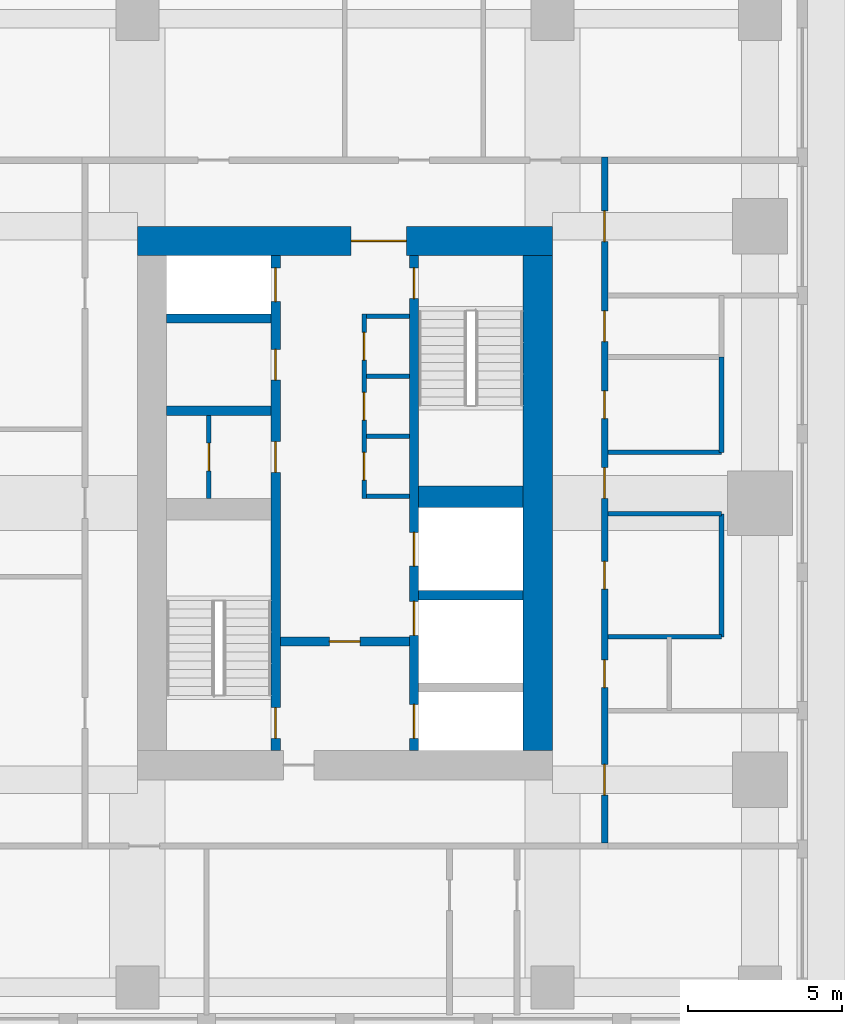
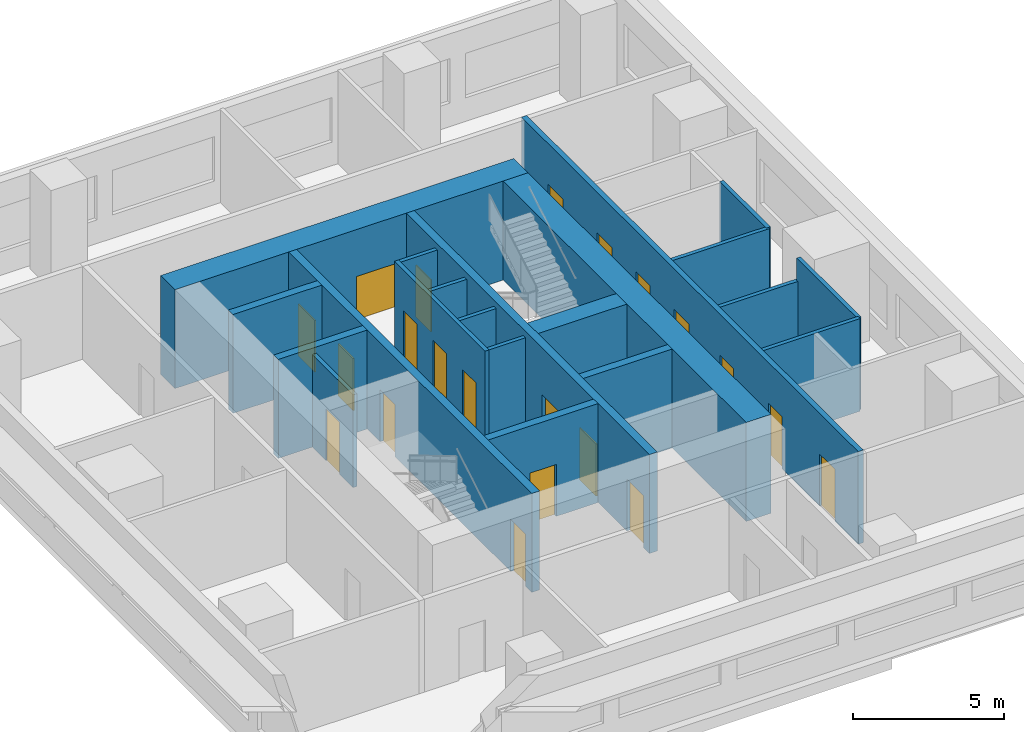
# One storey, part 7 of 11: 21 doors, 21 walls, 21 openings.
"""IFC4 building model written with IfcOpenShell, lengths in metres."""

from ifc_helpers import new_model, si_unit, direction, frame, frame_2d, origin, place, context, subcontext, project, spatial, rectangle, extrude, material, layer, layer_set, type_object, element, fill, save


model = new_model("IFC4")

# Units and contexts
model_context = context("Model", 3, precision=1e-05, world=origin(), true_north=direction((0.0, 1.0)))
body_context = subcontext(model_context, "Body", "Model", "MODEL_VIEW")
ifc_project = project(units=[si_unit("LENGTHUNIT", "METRE"), si_unit("AREAUNIT", "SQUARE_METRE"), si_unit("VOLUMEUNIT", "CUBIC_METRE"), si_unit("PLANEANGLEUNIT", "RADIAN"), si_unit("MASSUNIT", "GRAM", prefix="KILO")], contexts=[model_context])

# Site, building, storey
site_placement = place(None, origin())
site = spatial("IfcSite", under=ifc_project, at=site_placement, CompositionType="ELEMENT")
building_placement = place(site_placement, origin())
building = spatial("IfcBuilding", under=site, at=building_placement, Name="Namib Vertical Campus", CompositionType="ELEMENT")
storey_placement = place(building_placement, frame((0.0, 0.0, 201.0)))
storey = spatial("IfcBuildingStorey", under=building, at=storey_placement, Name="L47", CompositionType="ELEMENT", Elevation=201.0)

# Wall, openings, doors
ifc_material_1 = material(Name="Concrete C60/75", Category="concrete")
ifc_layer_1 = layer(ifc_material_1, 0.300048828125)
ifc_layer_set_1 = layer_set([ifc_layer_1], Name="Concrete C60/75")
wall_type_1 = type_object("IfcWallType", Name="Core inner wall 300", PredefinedType="SHEAR", material=ifc_layer_set_1)
wall_1_placement = place(storey_placement, frame((78.75, 12.199951171875, 0.0), z_axis=(0.0, 0.0, 1.0), x_axis=(0.0, 1.0, 0.0)))
wall_1 = element("IfcWall", 1, at=wall_1_placement, inside=storey, type_object=wall_type_1, Name="Core inner wall B L47 W1", PredefinedType="SHEAR", context=body_context, shape_type="SweptSolid", body=[
    extrude(rectangle(XDim=16.10009765625, YDim=0.300048828125, at=frame_2d((8.050048828125, 0.0))), origin(), (0.0, 0.0, 1.0), 4.0),
])
opening_1_placement = place(wall_1_placement, frame((0.39990234375, 0.0, 0.0)))
opening_1 = element("IfcOpeningElement", 2, at=opening_1_placement, cuts=wall_1, Name="Opening FD1", PredefinedType="OPENING", context=body_context, shape_type="SweptSolid", body=[
    extrude(rectangle(XDim=1.0, YDim=2.10009765625, at=frame_2d((0.5, 1.050048828125))), frame((0.0, 0.159912109375, 0.0), z_axis=(0.0, -1.0, 0.0), x_axis=(1.0, 0.0, 0.0)), (0.0, 0.0, 1.0), 0.320068359375),
])
opening_2_placement = place(wall_1_placement, frame((14.60009765625, 0.0, 0.0)))
opening_2 = element("IfcOpeningElement", 3, at=opening_2_placement, cuts=wall_1, Name="Opening LD1", PredefinedType="OPENING", context=body_context, shape_type="SweptSolid", body=[
    extrude(rectangle(XDim=1.10009765625, YDim=2.10009765625, at=frame_2d((0.550048828125, 1.050048828125))), frame((0.0, 0.159912109375, 0.0), z_axis=(0.0, -1.0, 0.0), x_axis=(1.0, 0.0, 0.0)), (0.0, 0.0, 1.0), 0.320068359375),
])
opening_3_placement = place(wall_1_placement, frame((9.050048828125, 0.0, 0.0)))
opening_3 = element("IfcOpeningElement", 4, at=opening_3_placement, cuts=wall_1, Name="Opening D1", PredefinedType="OPENING", context=body_context, shape_type="SweptSolid", body=[
    extrude(rectangle(XDim=1.0, YDim=2.10009765625, at=frame_2d((0.5, 1.050048828125))), frame((0.0, 0.159912109375, 0.0), z_axis=(0.0, -1.0, 0.0), x_axis=(1.0, 0.0, 0.0)), (0.0, 0.0, 1.0), 0.320068359375),
])
opening_4_placement = place(wall_1_placement, frame((12.050048828125, 0.0, 0.0)))
opening_4 = element("IfcOpeningElement", 5, at=opening_4_placement, cuts=wall_1, Name="Opening D1", PredefinedType="OPENING", context=body_context, shape_type="SweptSolid", body=[
    extrude(rectangle(XDim=1.0, YDim=2.10009765625, at=frame_2d((0.5, 1.050048828125))), frame((0.0, 0.159912109375, 0.0), z_axis=(0.0, -1.0, 0.0), x_axis=(1.0, 0.0, 0.0)), (0.0, 0.0, 1.0), 0.320068359375),
])
ifc_material_2 = material(Name="Timber door leaf", Category="wood")
door_type_1 = type_object("IfcDoorType", Name="Door single 1000x2100", OperationType="SINGLE_SWING_LEFT", PredefinedType="DOOR", material=ifc_material_2)
door_1_placement = place(opening_3_placement, origin())
door_1 = element("IfcDoor", 6, at=door_1_placement, inside=storey, type_object=door_type_1, Name="Door D1 Records store B L47 P1", OperationType="SINGLE_SWING_LEFT", OverallHeight=2.10009765625, OverallWidth=1.0, PredefinedType="DOOR", context=body_context, shape_type="SweptSolid", body=[
    extrude(rectangle(XDim=1.0, YDim=2.10009765625, at=frame_2d((0.5, 1.050048828125))), frame((0.0, 0.02490234375, 0.0), z_axis=(0.0, -1.0, 0.0), x_axis=(1.0, 0.0, 0.0)), (0.0, 0.0, 1.0), 0.050048828125),
])
fill(opening_3, door_1)
door_2_placement = place(opening_4_placement, origin())
door_2 = element("IfcDoor", 7, at=door_2_placement, inside=storey, type_object=door_type_1, Name="Door D1 Staff pantry B L47 P2", OperationType="SINGLE_SWING_LEFT", OverallHeight=2.10009765625, OverallWidth=1.0, PredefinedType="DOOR", context=body_context, shape_type="SweptSolid", body=[
    extrude(rectangle(XDim=1.0, YDim=2.10009765625, at=frame_2d((0.5, 1.050048828125))), frame((0.0, 0.02490234375, 0.0), z_axis=(0.0, -1.0, 0.0), x_axis=(1.0, 0.0, 0.0)), (0.0, 0.0, 1.0), 0.050048828125),
])
fill(opening_4, door_2)
ifc_material_3 = material(Name="Steel fire door", Category="steel")
door_type_2 = type_object("IfcDoorType", Name="Fire door 1000x2100", OperationType="SINGLE_SWING_RIGHT", PredefinedType="DOOR", material=ifc_material_3)
door_3_placement = place(opening_1_placement, origin())
door_3 = element("IfcDoor", 8, at=door_3_placement, inside=storey, type_object=door_type_2, Name="Stair door FD1 B L47 S1", OperationType="SINGLE_SWING_LEFT", OverallHeight=2.10009765625, OverallWidth=1.0, PredefinedType="DOOR", context=body_context, shape_type="SweptSolid", body=[
    extrude(rectangle(XDim=1.0, YDim=2.10009765625, at=frame_2d((0.5, 1.050048828125))), frame((0.0, 0.02490234375, 0.0), z_axis=(0.0, -1.0, 0.0), x_axis=(1.0, 0.0, 0.0)), (0.0, 0.0, 1.0), 0.050048828125),
])
fill(opening_1, door_3)
ifc_material_4 = material(Name="Stainless steel lift door", Category="steel")
door_type_3 = type_object("IfcDoorType", Name="Lift landing door 1100x2100", OperationType="DOUBLE_DOOR_SLIDING", PredefinedType="DOOR", material=ifc_material_4)
door_4_placement = place(opening_2_placement, origin())
door_4 = element("IfcDoor", 9, at=door_4_placement, inside=storey, type_object=door_type_3, Name="Lift landing door LD1 B-P3 L47", OperationType="DOUBLE_DOOR_SLIDING", OverallHeight=2.10009765625, OverallWidth=1.10009765625, PredefinedType="DOOR", context=body_context, shape_type="SweptSolid", body=[
    extrude(rectangle(XDim=1.10009765625, YDim=2.10009765625, at=frame_2d((0.550048828125, 1.050048828125))), frame((0.0, 0.02490234375, 0.0), z_axis=(0.0, -1.0, 0.0), x_axis=(1.0, 0.0, 0.0)), (0.0, 0.0, 1.0), 0.050048828125),
])
fill(opening_2, door_4)

wall_2_placement = place(storey_placement, frame((83.25, 12.199951171875, 0.0), z_axis=(0.0, 0.0, 1.0), x_axis=(0.0, 1.0, 0.0)))
wall_2 = element("IfcWall", 10, at=wall_2_placement, inside=storey, type_object=wall_type_1, Name="Core inner wall B L47 W2", PredefinedType="SHEAR", context=body_context, shape_type="SweptSolid", body=[
    extrude(rectangle(XDim=16.10009765625, YDim=0.300048828125, at=frame_2d((8.050048828125, 0.0))), origin(), (0.0, 0.0, 1.0), 4.0),
])
opening_5_placement = place(wall_2_placement, frame((14.699951171875, 0.0, 0.0)))
opening_5 = element("IfcOpeningElement", 11, at=opening_5_placement, cuts=wall_2, Name="Opening FD1", PredefinedType="OPENING", context=body_context, shape_type="SweptSolid", body=[
    extrude(rectangle(XDim=1.0, YDim=2.10009765625, at=frame_2d((0.5, 1.050048828125))), frame((0.0, 0.159912109375, 0.0), z_axis=(0.0, -1.0, 0.0), x_axis=(1.0, 0.0, 0.0)), (0.0, 0.0, 1.0), 0.320068359375),
])
opening_6_placement = place(wall_2_placement, frame((0.39990234375, 0.0, 0.0)))
opening_6 = element("IfcOpeningElement", 12, at=opening_6_placement, cuts=wall_2, Name="Opening LD1", PredefinedType="OPENING", context=body_context, shape_type="SweptSolid", body=[
    extrude(rectangle(XDim=1.10009765625, YDim=2.10009765625, at=frame_2d((0.550048828125, 1.050048828125))), frame((0.0, 0.159912109375, 0.0), z_axis=(0.0, -1.0, 0.0), x_axis=(1.0, 0.0, 0.0)), (0.0, 0.0, 1.0), 0.320068359375),
])
opening_7_placement = place(wall_2_placement, frame((3.75, 0.0, 0.0)))
opening_7 = element("IfcOpeningElement", 13, at=opening_7_placement, cuts=wall_2, Name="Opening LD1", PredefinedType="OPENING", context=body_context, shape_type="SweptSolid", body=[
    extrude(rectangle(XDim=1.10009765625, YDim=2.10009765625, at=frame_2d((0.550048828125, 1.050048828125))), frame((0.0, 0.159912109375, 0.0), z_axis=(0.0, -1.0, 0.0), x_axis=(1.0, 0.0, 0.0)), (0.0, 0.0, 1.0), 0.320068359375),
])
opening_8_placement = place(wall_2_placement, frame((6.0, 0.0, 0.0)))
opening_8 = element("IfcOpeningElement", 14, at=opening_8_placement, cuts=wall_2, Name="Opening LD1", PredefinedType="OPENING", context=body_context, shape_type="SweptSolid", body=[
    extrude(rectangle(XDim=1.10009765625, YDim=2.10009765625, at=frame_2d((0.550048828125, 1.050048828125))), frame((0.0, 0.159912109375, 0.0), z_axis=(0.0, -1.0, 0.0), x_axis=(1.0, 0.0, 0.0)), (0.0, 0.0, 1.0), 0.320068359375),
])
door_5_placement = place(opening_5_placement, frame((1.0, 0.0, 0.0), z_axis=(0.0, 0.0, 1.0), x_axis=(-1.0, 0.0, 0.0)))
door_5 = element("IfcDoor", 15, at=door_5_placement, inside=storey, type_object=door_type_2, Name="Stair door FD1 B L47 S2", OperationType="SINGLE_SWING_LEFT", OverallHeight=2.10009765625, OverallWidth=1.0, PredefinedType="DOOR", context=body_context, shape_type="SweptSolid", body=[
    extrude(rectangle(XDim=1.0, YDim=2.10009765625, at=frame_2d((0.5, 1.050048828125))), frame((0.0, 0.02490234375, 0.0), z_axis=(0.0, -1.0, 0.0), x_axis=(1.0, 0.0, 0.0)), (0.0, 0.0, 1.0), 0.050048828125),
])
fill(opening_5, door_5)
door_6_placement = place(opening_6_placement, origin())
door_6 = element("IfcDoor", 16, at=door_6_placement, inside=storey, type_object=door_type_3, Name="Lift landing door LD1 B-FL1 L47", OperationType="DOUBLE_DOOR_SLIDING", OverallHeight=2.10009765625, OverallWidth=1.10009765625, PredefinedType="DOOR", context=body_context, shape_type="SweptSolid", body=[
    extrude(rectangle(XDim=1.10009765625, YDim=2.10009765625, at=frame_2d((0.550048828125, 1.050048828125))), frame((0.0, 0.02490234375, 0.0), z_axis=(0.0, -1.0, 0.0), x_axis=(1.0, 0.0, 0.0)), (0.0, 0.0, 1.0), 0.050048828125),
])
fill(opening_6, door_6)
door_7_placement = place(opening_7_placement, origin())
door_7 = element("IfcDoor", 17, at=door_7_placement, inside=storey, type_object=door_type_3, Name="Lift landing door LD1 B-P4 L47", OperationType="DOUBLE_DOOR_SLIDING", OverallHeight=2.10009765625, OverallWidth=1.10009765625, PredefinedType="DOOR", context=body_context, shape_type="SweptSolid", body=[
    extrude(rectangle(XDim=1.10009765625, YDim=2.10009765625, at=frame_2d((0.550048828125, 1.050048828125))), frame((0.0, 0.02490234375, 0.0), z_axis=(0.0, -1.0, 0.0), x_axis=(1.0, 0.0, 0.0)), (0.0, 0.0, 1.0), 0.050048828125),
])
fill(opening_7, door_7)
door_8_placement = place(opening_8_placement, origin())
door_8 = element("IfcDoor", 18, at=door_8_placement, inside=storey, type_object=door_type_3, Name="Lift landing door LD1 B-P5 L47", OperationType="DOUBLE_DOOR_SLIDING", OverallHeight=2.10009765625, OverallWidth=1.10009765625, PredefinedType="DOOR", context=body_context, shape_type="SweptSolid", body=[
    extrude(rectangle(XDim=1.10009765625, YDim=2.10009765625, at=frame_2d((0.550048828125, 1.050048828125))), frame((0.0, 0.02490234375, 0.0), z_axis=(0.0, -1.0, 0.0), x_axis=(1.0, 0.0, 0.0)), (0.0, 0.0, 1.0), 0.050048828125),
])
fill(opening_8, door_8)

# Wall, opening, door
wall_3_placement = place(storey_placement, frame((78.89990234375, 15.75, 0.0), z_axis=(0.0, 0.0, 1.0), x_axis=(1.0, 0.0, 0.0)))
wall_3 = element("IfcWall", 19, at=wall_3_placement, inside=storey, type_object=wall_type_1, Name="Core inner wall B L47 W4", PredefinedType="SHEAR", context=body_context, shape_type="SweptSolid", body=[
    extrude(rectangle(XDim=4.2001953125, YDim=0.300048828125, at=frame_2d((2.10009765625, 0.0))), origin(), (0.0, 0.0, 1.0), 4.0),
])
opening_9_placement = place(wall_3_placement, frame((1.60009765625, 0.0, 0.0)))
opening_9 = element("IfcOpeningElement", 20, at=opening_9_placement, cuts=wall_3, Name="Opening FD5", PredefinedType="OPENING", context=body_context, shape_type="SweptSolid", body=[
    extrude(rectangle(XDim=1.0, YDim=2.10009765625, at=frame_2d((0.5, 1.050048828125))), frame((0.0, 0.159912109375, 0.0), z_axis=(0.0, -1.0, 0.0), x_axis=(1.0, 0.0, 0.0)), (0.0, 0.0, 1.0), 0.320068359375),
])
ifc_material_5 = material(Name="Steel fire door", Category="steel")
door_type_4 = type_object("IfcDoorType", Name="Fire door 1000x2100 120 min", OperationType="SINGLE_SWING_RIGHT", PredefinedType="DOOR", material=ifc_material_5)
door_9_placement = place(opening_9_placement, frame((1.0, 0.0, 0.0), z_axis=(0.0, 0.0, 1.0), x_axis=(-1.0, 0.0, 0.0)))
door_9 = element("IfcDoor", 21, at=door_9_placement, inside=storey, type_object=door_type_4, Name="Lobby door FD5 B L47", OperationType="SINGLE_SWING_RIGHT", OverallHeight=2.10009765625, OverallWidth=1.0, PredefinedType="DOOR", context=body_context, shape_type="SweptSolid", body=[
    extrude(rectangle(XDim=1.0, YDim=2.10009765625, at=frame_2d((0.5, 1.050048828125))), frame((0.0, 0.02490234375, 0.0), z_axis=(0.0, -1.0, 0.0), x_axis=(1.0, 0.0, 0.0)), (0.0, 0.0, 1.0), 0.050048828125),
])
fill(opening_9, door_9)

# Walls
for number, where, z_axis, x_axis, name in (
    (22, (83.39990234375, 17.25, 0.0), (0.0, 0.0, 1.0), (1.0, 0.0, 0.0), "Core inner wall B L47 W6"),
    (23, (75.199951171875, 23.25, 0.0), (0.0, 0.0, 1.0), (1.0, 0.0, 0.0), "Core inner wall B L47 W8"),
    (24, (75.199951171875, 26.25, 0.0), (0.0, 0.0, 1.0), (1.0, 0.0, 0.0), "Core inner wall B L47 W9"),
):
    element("IfcWall", number, at=place(storey_placement, frame(where, z_axis=z_axis, x_axis=x_axis)), inside=storey, type_object=wall_type_1, Name=name, PredefinedType="SHEAR", context=body_context, shape_type="SweptSolid", body=[
        extrude(rectangle(XDim=3.400146484375, YDim=0.300048828125, at=frame_2d((1.7001953125, 0.0))), origin(), (0.0, 0.0, 1.0), 4.0),
    ])
ifc_material_6 = material(Name="Concrete C60/75", Category="concrete")
ifc_layer_2 = layer(ifc_material_6, 0.699951171875)
ifc_layer_set_2 = layer_set([ifc_layer_2], Name="Concrete C60/75")
wall_type_2 = type_object("IfcWallType", Name="Core shear wall 700", PredefinedType="SHEAR", material=ifc_layer_set_2)
wall_4_placement = place(storey_placement, frame((83.39990234375, 20.449951171875, 0.0), z_axis=(0.0, 0.0, 1.0), x_axis=(1.0, 0.0, 0.0)))
element("IfcWall", 25, at=wall_4_placement, inside=storey, type_object=wall_type_2, Name="Core shear wall B L47 W7", PredefinedType="SHEAR", context=body_context, shape_type="SweptSolid", body=[
    extrude(rectangle(XDim=3.400146484375, YDim=0.699951171875, at=frame_2d((1.7001953125, 0.0))), origin(), (0.0, 0.0, 1.0), 4.0),
])
ifc_material_7 = material(Name="Concrete C60/75", Category="concrete")
ifc_layer_3 = layer(ifc_material_7, 0.949951171875)
ifc_layer_set_3 = layer_set([ifc_layer_3], Name="Concrete C60/75")
wall_type_3 = type_object("IfcWallType", Name="Core wall 950", PredefinedType="SHEAR", material=ifc_layer_set_3)
wall_5_placement = place(storey_placement, frame((87.27490234375, 12.199951171875, 0.0), z_axis=(0.0, 0.0, 1.0), x_axis=(0.0, 1.0, 0.0)))
element("IfcWall", 26, at=wall_5_placement, inside=storey, type_object=wall_type_3, Name="Core wall B L47 2", PredefinedType="SHEAR", context=body_context, shape_type="SweptSolid", body=[
    extrude(rectangle(XDim=16.10009765625, YDim=0.949951171875, at=frame_2d((8.050048828125, 0.0))), origin(), (0.0, 0.0, 1.0), 4.0),
])

# Wall, opening, door
wall_6_placement = place(storey_placement, frame((87.75, 28.77490234375, 0.0), z_axis=(0.0, 0.0, 1.0), x_axis=(-1.0, 0.0, 0.0)))
wall_6 = element("IfcWall", 27, at=wall_6_placement, inside=storey, type_object=wall_type_3, Name="Core wall B L47 3", PredefinedType="SHEAR", context=body_context, shape_type="SweptSolid", body=[
    extrude(rectangle(XDim=13.5, YDim=0.949951171875, at=frame_2d((6.75, 0.0))), origin(), (0.0, 0.0, 1.0), 4.0),
])
opening_10_placement = place(wall_6_placement, frame((4.75, 0.0, 0.0)))
opening_10 = element("IfcOpeningElement", 28, at=opening_10_placement, cuts=wall_6, Name="Opening FD2", PredefinedType="OPENING", context=body_context, shape_type="SweptSolid", body=[
    extrude(rectangle(XDim=1.800048828125, YDim=2.10009765625, at=frame_2d((0.89990234375, 1.050048828125))), frame((0.0, 0.48486328125, 0.0), z_axis=(0.0, -1.0, 0.0), x_axis=(1.0, 0.0, 0.0)), (0.0, 0.0, 1.0), 0.969970703125),
])
ifc_material_8 = material(Name="Steel fire door", Category="steel")
door_type_5 = type_object("IfcDoorType", Name="Fire door double 1800x2100", OperationType="DOUBLE_DOOR_SINGLE_SWING", PredefinedType="DOOR", material=ifc_material_8)
door_10_placement = place(opening_10_placement, origin())
door_10 = element("IfcDoor", 29, at=door_10_placement, inside=storey, type_object=door_type_5, Name="Lift lobby door FD2 B L47", OperationType="DOUBLE_DOOR_SINGLE_SWING", OverallHeight=2.10009765625, OverallWidth=1.800048828125, PredefinedType="DOOR", context=body_context, shape_type="SweptSolid", body=[
    extrude(rectangle(XDim=1.800048828125, YDim=2.10009765625, at=frame_2d((0.89990234375, 1.050048828125))), frame((0.0, 0.02490234375, 0.0), z_axis=(0.0, -1.0, 0.0), x_axis=(1.0, 0.0, 0.0)), (0.0, 0.0, 1.0), 0.050048828125),
])
fill(opening_10, door_10)

# Wall, openings, doors
ifc_material_9 = material(Name="Concrete masonry", Category="masonry")
ifc_layer_4 = layer(ifc_material_9, 0.199951171875)
ifc_layer_set_4 = layer_set([ifc_layer_4], Name="Corridor wall 200")
wall_type_4 = type_object("IfcWallType", Name="Corridor wall 200", PredefinedType="SOLIDWALL", material=ifc_layer_set_4)
wall_7_placement = place(storey_placement, frame((89.449951171875, 9.199951171875, 0.0), z_axis=(0.0, 0.0, 1.0), x_axis=(0.0, 1.0, 0.0)))
wall_7 = element("IfcWall", 30, at=wall_7_placement, inside=storey, type_object=wall_type_4, Name="Corridor wall B L47 CE", PredefinedType="SOLIDWALL", context=body_context, shape_type="SweptSolid", body=[
    extrude(rectangle(XDim=22.300048828125, YDim=0.199951171875, at=frame_2d((11.14990234375, 0.0))), origin(), (0.0, 0.0, 1.0), 3.75),
])
opening_11_placement = place(wall_7_placement, frame((1.550048828125, 0.0, 0.0)))
opening_11 = element("IfcOpeningElement", 31, at=opening_11_placement, cuts=wall_7, Name="Opening CD1", PredefinedType="OPENING", context=body_context, shape_type="SweptSolid", body=[
    extrude(rectangle(XDim=1.0, YDim=2.10009765625, at=frame_2d((0.5, 1.050048828125))), frame((0.0, 0.10986328125, 0.0), z_axis=(0.0, -1.0, 0.0), x_axis=(1.0, 0.0, 0.0)), (0.0, 0.0, 1.0), 0.219970703125),
])
opening_12_placement = place(wall_7_placement, frame((5.050048828125, 0.0, 0.0)))
opening_12 = element("IfcOpeningElement", 32, at=opening_12_placement, cuts=wall_7, Name="Opening CD3", PredefinedType="OPENING", context=body_context, shape_type="SweptSolid", body=[
    extrude(rectangle(XDim=0.89990234375, YDim=2.10009765625, at=frame_2d((0.449951171875, 1.050048828125))), frame((0.0, 0.10986328125, 0.0), z_axis=(0.0, -1.0, 0.0), x_axis=(1.0, 0.0, 0.0)), (0.0, 0.0, 1.0), 0.219970703125),
])
opening_13_placement = place(wall_7_placement, frame((8.25, 0.0, 0.0)))
opening_13 = element("IfcOpeningElement", 33, at=opening_13_placement, cuts=wall_7, Name="Opening CD3", PredefinedType="OPENING", context=body_context, shape_type="SweptSolid", body=[
    extrude(rectangle(XDim=0.89990234375, YDim=2.10009765625, at=frame_2d((0.449951171875, 1.050048828125))), frame((0.0, 0.10986328125, 0.0), z_axis=(0.0, -1.0, 0.0), x_axis=(1.0, 0.0, 0.0)), (0.0, 0.0, 1.0), 0.219970703125),
])
opening_14_placement = place(wall_7_placement, frame((13.800048828125, 0.0, 0.0)))
opening_14 = element("IfcOpeningElement", 34, at=opening_14_placement, cuts=wall_7, Name="Opening CD3", PredefinedType="OPENING", context=body_context, shape_type="SweptSolid", body=[
    extrude(rectangle(XDim=0.89990234375, YDim=2.10009765625, at=frame_2d((0.449951171875, 1.050048828125))), frame((0.0, 0.10986328125, 0.0), z_axis=(0.0, -1.0, 0.0), x_axis=(1.0, 0.0, 0.0)), (0.0, 0.0, 1.0), 0.219970703125),
])
opening_15_placement = place(wall_7_placement, frame((16.300048828125, 0.0, 0.0)))
opening_15 = element("IfcOpeningElement", 35, at=opening_15_placement, cuts=wall_7, Name="Opening CD1", PredefinedType="OPENING", context=body_context, shape_type="SweptSolid", body=[
    extrude(rectangle(XDim=1.0, YDim=2.10009765625, at=frame_2d((0.5, 1.050048828125))), frame((0.0, 0.10986328125, 0.0), z_axis=(0.0, -1.0, 0.0), x_axis=(1.0, 0.0, 0.0)), (0.0, 0.0, 1.0), 0.219970703125),
])
opening_16_placement = place(wall_7_placement, frame((11.199951171875, 0.0, 0.0)))
opening_16 = element("IfcOpeningElement", 36, at=opening_16_placement, cuts=wall_7, Name="Opening CD1", PredefinedType="OPENING", context=body_context, shape_type="SweptSolid", body=[
    extrude(rectangle(XDim=1.0, YDim=2.10009765625, at=frame_2d((0.5, 1.050048828125))), frame((0.0, 0.10986328125, 0.0), z_axis=(0.0, -1.0, 0.0), x_axis=(1.0, 0.0, 0.0)), (0.0, 0.0, 1.0), 0.219970703125),
])
opening_17_placement = place(wall_7_placement, frame((19.550048828125, 0.0, 0.0)))
opening_17 = element("IfcOpeningElement", 37, at=opening_17_placement, cuts=wall_7, Name="Opening CD1", PredefinedType="OPENING", context=body_context, shape_type="SweptSolid", body=[
    extrude(rectangle(XDim=1.0, YDim=2.10009765625, at=frame_2d((0.5, 1.050048828125))), frame((0.0, 0.10986328125, 0.0), z_axis=(0.0, -1.0, 0.0), x_axis=(1.0, 0.0, 0.0)), (0.0, 0.0, 1.0), 0.219970703125),
])
ifc_material_10 = material(Name="Timber fire door leaf", Category="wood")
door_type_6 = type_object("IfcDoorType", Name="Corridor door 1000x2100 20 min", OperationType="SINGLE_SWING_LEFT", PredefinedType="DOOR", material=ifc_material_10)
door_11_placement = place(opening_11_placement, frame((1.0, 0.0, 0.0), z_axis=(0.0, 0.0, 1.0), x_axis=(-1.0, 0.0, 0.0)))
door_11 = element("IfcDoor", 38, at=door_11_placement, inside=storey, type_object=door_type_6, Name="Door CD1 B47-04", OperationType="SINGLE_SWING_RIGHT", OverallHeight=2.10009765625, OverallWidth=1.0, PredefinedType="DOOR", context=body_context, shape_type="SweptSolid", body=[
    extrude(rectangle(XDim=1.0, YDim=2.10009765625, at=frame_2d((0.5, 1.050048828125))), frame((0.0, 0.02490234375, 0.0), z_axis=(0.0, -1.0, 0.0), x_axis=(1.0, 0.0, 0.0)), (0.0, 0.0, 1.0), 0.050048828125),
])
fill(opening_11, door_11)
door_12_placement = place(opening_15_placement, frame((1.0, 0.0, 0.0), z_axis=(0.0, 0.0, 1.0), x_axis=(-1.0, 0.0, 0.0)))
door_12 = element("IfcDoor", 39, at=door_12_placement, inside=storey, type_object=door_type_6, Name="Door CD1 B47-08", OperationType="SINGLE_SWING_RIGHT", OverallHeight=2.10009765625, OverallWidth=1.0, PredefinedType="DOOR", context=body_context, shape_type="SweptSolid", body=[
    extrude(rectangle(XDim=1.0, YDim=2.10009765625, at=frame_2d((0.5, 1.050048828125))), frame((0.0, 0.02490234375, 0.0), z_axis=(0.0, -1.0, 0.0), x_axis=(1.0, 0.0, 0.0)), (0.0, 0.0, 1.0), 0.050048828125),
])
fill(opening_15, door_12)
door_13_placement = place(opening_16_placement, frame((1.0, 0.0, 0.0), z_axis=(0.0, 0.0, 1.0), x_axis=(-1.0, 0.0, 0.0)))
door_13 = element("IfcDoor", 40, at=door_13_placement, inside=storey, type_object=door_type_6, Name="Door CD1 B47-09", OperationType="SINGLE_SWING_RIGHT", OverallHeight=2.10009765625, OverallWidth=1.0, PredefinedType="DOOR", context=body_context, shape_type="SweptSolid", body=[
    extrude(rectangle(XDim=1.0, YDim=2.10009765625, at=frame_2d((0.5, 1.050048828125))), frame((0.0, 0.02490234375, 0.0), z_axis=(0.0, -1.0, 0.0), x_axis=(1.0, 0.0, 0.0)), (0.0, 0.0, 1.0), 0.050048828125),
])
fill(opening_16, door_13)
door_14_placement = place(opening_17_placement, frame((1.0, 0.0, 0.0), z_axis=(0.0, 0.0, 1.0), x_axis=(-1.0, 0.0, 0.0)))
door_14 = element("IfcDoor", 41, at=door_14_placement, inside=storey, type_object=door_type_6, Name="Door CD1 B47-10", OperationType="SINGLE_SWING_RIGHT", OverallHeight=2.10009765625, OverallWidth=1.0, PredefinedType="DOOR", context=body_context, shape_type="SweptSolid", body=[
    extrude(rectangle(XDim=1.0, YDim=2.10009765625, at=frame_2d((0.5, 1.050048828125))), frame((0.0, 0.02490234375, 0.0), z_axis=(0.0, -1.0, 0.0), x_axis=(1.0, 0.0, 0.0)), (0.0, 0.0, 1.0), 0.050048828125),
])
fill(opening_17, door_14)
ifc_material_11 = material(Name="Timber fire door leaf", Category="wood")
door_type_7 = type_object("IfcDoorType", Name="Corridor toilet door 900x2100 20 min", OperationType="SINGLE_SWING_LEFT", PredefinedType="DOOR", material=ifc_material_11)
door_15_placement = place(opening_12_placement, frame((0.89990234375, 0.0, 0.0), z_axis=(0.0, 0.0, 1.0), x_axis=(-1.0, 0.0, 0.0)))
door_15 = element("IfcDoor", 42, at=door_15_placement, inside=storey, type_object=door_type_7, Name="Door CD3 B47-05", OperationType="SINGLE_SWING_RIGHT", OverallHeight=2.10009765625, OverallWidth=0.89990234375, PredefinedType="DOOR", context=body_context, shape_type="SweptSolid", body=[
    extrude(rectangle(XDim=0.89990234375, YDim=2.10009765625, at=frame_2d((0.449951171875, 1.050048828125))), frame((0.0, 0.02490234375, 0.0), z_axis=(0.0, -1.0, 0.0), x_axis=(1.0, 0.0, 0.0)), (0.0, 0.0, 1.0), 0.050048828125),
])
fill(opening_12, door_15)
door_16_placement = place(opening_13_placement, frame((0.89990234375, 0.0, 0.0), z_axis=(0.0, 0.0, 1.0), x_axis=(-1.0, 0.0, 0.0)))
door_16 = element("IfcDoor", 43, at=door_16_placement, inside=storey, type_object=door_type_7, Name="Door CD3 B47-06", OperationType="SINGLE_SWING_RIGHT", OverallHeight=2.10009765625, OverallWidth=0.89990234375, PredefinedType="DOOR", context=body_context, shape_type="SweptSolid", body=[
    extrude(rectangle(XDim=0.89990234375, YDim=2.10009765625, at=frame_2d((0.449951171875, 1.050048828125))), frame((0.0, 0.02490234375, 0.0), z_axis=(0.0, -1.0, 0.0), x_axis=(1.0, 0.0, 0.0)), (0.0, 0.0, 1.0), 0.050048828125),
])
fill(opening_13, door_16)
door_17_placement = place(opening_14_placement, frame((0.89990234375, 0.0, 0.0), z_axis=(0.0, 0.0, 1.0), x_axis=(-1.0, 0.0, 0.0)))
door_17 = element("IfcDoor", 44, at=door_17_placement, inside=storey, type_object=door_type_7, Name="Door CD3 B47-07", OperationType="SINGLE_SWING_RIGHT", OverallHeight=2.10009765625, OverallWidth=0.89990234375, PredefinedType="DOOR", context=body_context, shape_type="SweptSolid", body=[
    extrude(rectangle(XDim=0.89990234375, YDim=2.10009765625, at=frame_2d((0.449951171875, 1.050048828125))), frame((0.0, 0.02490234375, 0.0), z_axis=(0.0, -1.0, 0.0), x_axis=(1.0, 0.0, 0.0)), (0.0, 0.0, 1.0), 0.050048828125),
])
fill(opening_14, door_17)

ifc_material_12 = material(Name="Gypsum board on steel studs", Category="steel")
ifc_layer_5 = layer(ifc_material_12, 0.14990234375)
ifc_layer_set_5 = layer_set([ifc_layer_5], Name="Gypsum board on steel studs")
wall_type_5 = type_object("IfcWallType", Name="Partition 150", PredefinedType="PARTITIONING", material=ifc_layer_set_5)
wall_8_placement = place(storey_placement, frame((81.625, 20.39990234375, 0.0), z_axis=(0.0, 0.0, 1.0), x_axis=(0.0, 1.0, 0.0)))
wall_8 = element("IfcWall", 45, at=wall_8_placement, inside=storey, type_object=wall_type_5, Name="Partition B L47 Records store and Cleaners' store and Linen store front", PredefinedType="PARTITIONING", context=body_context, shape_type="SweptSolid", body=[
    extrude(rectangle(XDim=6.0, YDim=0.14990234375, at=frame_2d((3.0, 0.0))), origin(), (0.0, 0.0, 1.0), 3.75),
])
opening_18_placement = place(wall_8_placement, frame((0.60009765625, 0.0, 0.0)))
opening_18 = element("IfcOpeningElement", 46, at=opening_18_placement, cuts=wall_8, Name="Opening D3", PredefinedType="OPENING", context=body_context, shape_type="SweptSolid", body=[
    extrude(rectangle(XDim=0.89990234375, YDim=2.10009765625, at=frame_2d((0.449951171875, 1.050048828125))), frame((0.0, 0.0849609375, 0.0), z_axis=(0.0, -1.0, 0.0), x_axis=(1.0, 0.0, 0.0)), (0.0, 0.0, 1.0), 0.169921875),
])
opening_19_placement = place(wall_8_placement, frame((2.550048828125, 0.0, 0.0)))
opening_19 = element("IfcOpeningElement", 47, at=opening_19_placement, cuts=wall_8, Name="Opening D3", PredefinedType="OPENING", context=body_context, shape_type="SweptSolid", body=[
    extrude(rectangle(XDim=0.89990234375, YDim=2.10009765625, at=frame_2d((0.449951171875, 1.050048828125))), frame((0.0, 0.0849609375, 0.0), z_axis=(0.0, -1.0, 0.0), x_axis=(1.0, 0.0, 0.0)), (0.0, 0.0, 1.0), 0.169921875),
])
opening_20_placement = place(wall_8_placement, frame((4.5, 0.0, 0.0)))
opening_20 = element("IfcOpeningElement", 48, at=opening_20_placement, cuts=wall_8, Name="Opening D3", PredefinedType="OPENING", context=body_context, shape_type="SweptSolid", body=[
    extrude(rectangle(XDim=0.89990234375, YDim=2.10009765625, at=frame_2d((0.449951171875, 1.050048828125))), frame((0.0, 0.0849609375, 0.0), z_axis=(0.0, -1.0, 0.0), x_axis=(1.0, 0.0, 0.0)), (0.0, 0.0, 1.0), 0.169921875),
])
ifc_material_13 = material(Name="Timber door leaf", Category="wood")
door_type_8 = type_object("IfcDoorType", Name="Toilet door 900x2100", OperationType="SINGLE_SWING_LEFT", PredefinedType="DOOR", material=ifc_material_13)
door_18_placement = place(opening_18_placement, frame((0.89990234375, 0.0, 0.0), z_axis=(0.0, 0.0, 1.0), x_axis=(-1.0, 0.0, 0.0)))
door_18 = element("IfcDoor", 49, at=door_18_placement, inside=storey, type_object=door_type_8, Name="Door D3 Records store B L47", OperationType="SINGLE_SWING_RIGHT", OverallHeight=2.10009765625, OverallWidth=0.89990234375, PredefinedType="DOOR", context=body_context, shape_type="SweptSolid", body=[
    extrude(rectangle(XDim=0.89990234375, YDim=2.10009765625, at=frame_2d((0.449951171875, 1.050048828125))), frame((0.0, 0.02490234375, 0.0), z_axis=(0.0, -1.0, 0.0), x_axis=(1.0, 0.0, 0.0)), (0.0, 0.0, 1.0), 0.050048828125),
])
fill(opening_18, door_18)
door_19_placement = place(opening_19_placement, frame((0.89990234375, 0.0, 0.0), z_axis=(0.0, 0.0, 1.0), x_axis=(-1.0, 0.0, 0.0)))
door_19 = element("IfcDoor", 50, at=door_19_placement, inside=storey, type_object=door_type_8, Name="Door D3 Cleaners' store B L47", OperationType="SINGLE_SWING_RIGHT", OverallHeight=2.10009765625, OverallWidth=0.89990234375, PredefinedType="DOOR", context=body_context, shape_type="SweptSolid", body=[
    extrude(rectangle(XDim=0.89990234375, YDim=2.10009765625, at=frame_2d((0.449951171875, 1.050048828125))), frame((0.0, 0.02490234375, 0.0), z_axis=(0.0, -1.0, 0.0), x_axis=(1.0, 0.0, 0.0)), (0.0, 0.0, 1.0), 0.050048828125),
])
fill(opening_19, door_19)
door_20_placement = place(opening_20_placement, frame((0.89990234375, 0.0, 0.0), z_axis=(0.0, 0.0, 1.0), x_axis=(-1.0, 0.0, 0.0)))
door_20 = element("IfcDoor", 51, at=door_20_placement, inside=storey, type_object=door_type_8, Name="Door D3 Linen store B L47", OperationType="SINGLE_SWING_RIGHT", OverallHeight=2.10009765625, OverallWidth=0.89990234375, PredefinedType="DOOR", context=body_context, shape_type="SweptSolid", body=[
    extrude(rectangle(XDim=0.89990234375, YDim=2.10009765625, at=frame_2d((0.449951171875, 1.050048828125))), frame((0.0, 0.02490234375, 0.0), z_axis=(0.0, -1.0, 0.0), x_axis=(1.0, 0.0, 0.0)), (0.0, 0.0, 1.0), 0.050048828125),
])
fill(opening_20, door_20)

# Walls
for number, where, z_axis, x_axis, name in (
    (52, (81.699951171875, 20.47509765625, 0.0), (0.0, 0.0, 1.0), (1.0, 0.0, 0.0), "Partition B L47 Records store and Cleaners' store and Linen store end 1"),
    (53, (81.699951171875, 22.425048828125, 0.0), (0.0, 0.0, 1.0), (1.0, 0.0, 0.0), "Partition B L47 Records store and Cleaners' store and Linen store division 2"),
    (54, (81.699951171875, 24.375, 0.0), (0.0, 0.0, 1.0), (1.0, 0.0, 0.0), "Partition B L47 Records store and Cleaners' store and Linen store division 3"),
    (55, (81.699951171875, 26.324951171875, 0.0), (0.0, 0.0, 1.0), (1.0, 0.0, 0.0), "Partition B L47 Records store and Cleaners' store and Linen store end 4"),
):
    element("IfcWall", number, at=place(storey_placement, frame(where, z_axis=z_axis, x_axis=x_axis)), inside=storey, type_object=wall_type_5, Name=name, PredefinedType="PARTITIONING", context=body_context, shape_type="SweptSolid", body=[
        extrude(rectangle(XDim=1.400146484375, YDim=0.14990234375, at=frame_2d((0.7001953125, 0.0))), origin(), (0.0, 0.0, 1.0), 3.75),
    ])

# Wall, opening, door
wall_9_placement = place(storey_placement, frame((76.574951171875, 20.39990234375, 0.0), z_axis=(0.0, 0.0, 1.0), x_axis=(0.0, 1.0, 0.0)))
wall_9 = element("IfcWall", 56, at=wall_9_placement, inside=storey, type_object=wall_type_5, Name="Partition B L47 Records store P1 back", PredefinedType="PARTITIONING", context=body_context, shape_type="SweptSolid", body=[
    extrude(rectangle(XDim=2.7001953125, YDim=0.14990234375, at=frame_2d((1.35009765625, 0.0))), origin(), (0.0, 0.0, 1.0), 3.75),
])
opening_21_placement = place(wall_9_placement, frame((0.89990234375, 0.0, 0.0)))
opening_21 = element("IfcOpeningElement", 57, at=opening_21_placement, cuts=wall_9, Name="Opening D3", PredefinedType="OPENING", context=body_context, shape_type="SweptSolid", body=[
    extrude(rectangle(XDim=0.89990234375, YDim=2.10009765625, at=frame_2d((0.449951171875, 1.050048828125))), frame((0.0, 0.0849609375, 0.0), z_axis=(0.0, -1.0, 0.0), x_axis=(1.0, 0.0, 0.0)), (0.0, 0.0, 1.0), 0.169921875),
])
door_21_placement = place(opening_21_placement, origin())
door_21 = element("IfcDoor", 58, at=door_21_placement, inside=storey, type_object=door_type_8, Name="Door D3 Store B L47 P1", OperationType="SINGLE_SWING_LEFT", OverallHeight=2.10009765625, OverallWidth=0.89990234375, PredefinedType="DOOR", context=body_context, shape_type="SweptSolid", body=[
    extrude(rectangle(XDim=0.89990234375, YDim=2.10009765625, at=frame_2d((0.449951171875, 1.050048828125))), frame((0.0, 0.02490234375, 0.0), z_axis=(0.0, -1.0, 0.0), x_axis=(1.0, 0.0, 0.0)), (0.0, 0.0, 1.0), 0.050048828125),
])
fill(opening_21, door_21)

# Walls
wall_10_placement = place(storey_placement, frame((89.550048828125, 15.89990234375, 0.0), z_axis=(0.0, 0.0, 1.0), x_axis=(1.0, 0.0, 0.0)))
element("IfcWall", 59, at=wall_10_placement, inside=storey, type_object=wall_type_5, Name="Partition B L47 WR1", PredefinedType="PARTITIONING", context=body_context, shape_type="SweptSolid", body=[
    extrude(rectangle(XDim=3.699951171875, YDim=0.14990234375, at=frame_2d((1.85009765625, 0.0))), origin(), (0.0, 0.0, 1.0), 3.75),
])
wall_11_placement = place(storey_placement, frame((89.550048828125, 19.89990234375, 0.0), z_axis=(0.0, 0.0, 1.0), x_axis=(1.0, 0.0, 0.0)))
element("IfcWall", 60, at=wall_11_placement, inside=storey, type_object=wall_type_5, Name="Partition B L47 WR2", PredefinedType="PARTITIONING", context=body_context, shape_type="SweptSolid", body=[
    extrude(rectangle(XDim=3.699951171875, YDim=0.14990234375, at=frame_2d((1.85009765625, 0.0))), origin(), (0.0, 0.0, 1.0), 2.85009765625),
])
wall_12_placement = place(storey_placement, frame((89.550048828125, 21.89990234375, 0.0), z_axis=(0.0, 0.0, 1.0), x_axis=(1.0, 0.0, 0.0)))
element("IfcWall", 61, at=wall_12_placement, inside=storey, type_object=wall_type_5, Name="Partition B L47 WR3", PredefinedType="PARTITIONING", context=body_context, shape_type="SweptSolid", body=[
    extrude(rectangle(XDim=3.699951171875, YDim=0.14990234375, at=frame_2d((1.85009765625, 0.0))), origin(), (0.0, 0.0, 1.0), 3.75),
])
wall_13_placement = place(storey_placement, frame((93.25, 15.89990234375, 0.0), z_axis=(0.0, 0.0, 1.0), x_axis=(0.0, 1.0, 0.0)))
element("IfcWall", 62, at=wall_13_placement, inside=storey, type_object=wall_type_5, Name="Partition B L47 WB2", PredefinedType="PARTITIONING", context=body_context, shape_type="SweptSolid", body=[
    extrude(rectangle(XDim=4.0, YDim=0.14990234375, at=frame_2d((2.0, 0.0))), origin(), (0.0, 0.0, 1.0), 3.75),
])
wall_14_placement = place(storey_placement, frame((93.25, 21.89990234375, 0.0), z_axis=(0.0, 0.0, 1.0), x_axis=(0.0, 1.0, 0.0)))
element("IfcWall", 63, at=wall_14_placement, inside=storey, type_object=wall_type_5, Name="Partition B L47 WB3", PredefinedType="PARTITIONING", context=body_context, shape_type="SweptSolid", body=[
    extrude(rectangle(XDim=3.10009765625, YDim=0.14990234375, at=frame_2d((1.550048828125, 0.0))), origin(), (0.0, 0.0, 1.0), 3.75),
])

save(model, "model.ifc")
